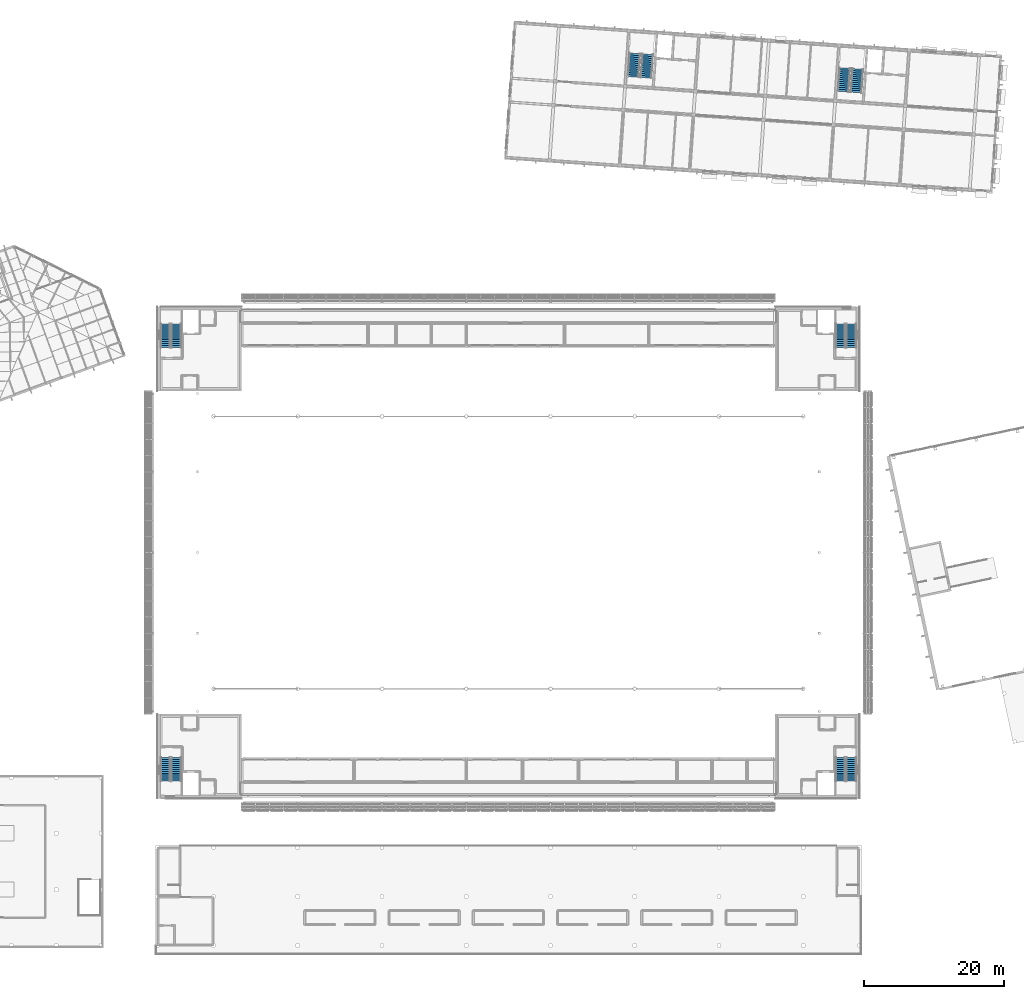
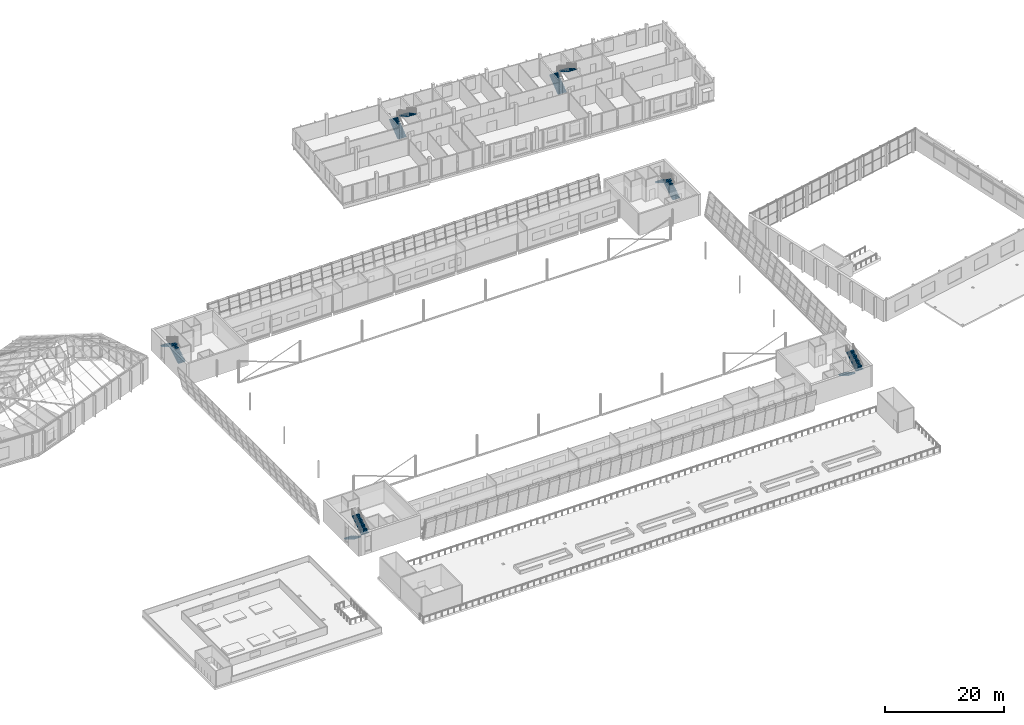
# One storey, part 59 of 95: 12 stair flights, 6 elements without a shape of their own.
"""IFC4 building model written with IfcOpenShell, lengths in metres."""

import ifcopenshell
import ifcopenshell.guid

model = None  # the IFC model being written
_history = None  # IfcOwnerHistory: only IFC2X3 demands one
_inside = {}  # id of a spatial element -> (the spatial element, [elements in it])
_under = {}  # id of a project, library or spatial element -> (it, [spatial elements below it])
_declared = {}  # id of a project -> (the project, [libraries it declares])
_typed = {}  # id of a type object -> (the type object, [elements of that type])
_made_of = {}  # id of a material, layer set ... -> (it, [elements and type objects made of it])


def new_model(schema):
    """Start an empty IFC model of exactly this schema.

    Asked for "IFC4X3", IfcOpenShell would pick the latest addendum, in which some entities
    have other attributes; the version numbers below select the first issue.
    IFC2X3 requires an IfcOwnerHistory on every rooted entity: one is made here for all.
    """
    global model, _history
    if schema == "IFC4X3":
        model = ifcopenshell.file(schema_version=(4, 3, 0, 0))
    else:
        model = ifcopenshell.file(schema=schema)
    _inside.clear()
    _under.clear()
    _declared.clear()
    _typed.clear()
    _made_of.clear()
    _history = None
    if model.schema == "IFC2X3":
        org = make("IfcOrganization", Name="unknown")
        user = make(
            "IfcPersonAndOrganization",
            ThePerson=make("IfcPerson", FamilyName="unknown"),
            TheOrganization=org,
        )
        app = make(
            "IfcApplication",
            ApplicationDeveloper=org,
            Version="unknown",
            ApplicationFullName="unknown",
            ApplicationIdentifier="unknown",
        )
        _history = make(
            "IfcOwnerHistory",
            OwningUser=user,
            OwningApplication=app,
            ChangeAction="ADDED",
            CreationDate=0,
        )
    return model


def make(cls, **values):
    """One entity of the class cls with the attributes given. An attribute that is None is left unset."""
    return model.create_entity(
        cls, **{name: value for name, value in values.items() if value is not None}
    )


def rooted(cls, **values):
    """An entity with a GlobalId (a new one), such as an element, a storey or a relation."""
    return make(cls, GlobalId=ifcopenshell.guid.new(), OwnerHistory=_history, **values)


def si_unit(unit_type, name, prefix=None):
    """IfcSIUnit, for example si_unit("LENGTHUNIT", "METRE", prefix="MILLI")."""
    return make("IfcSIUnit", UnitType=unit_type, Prefix=prefix, Name=name)


def assignment(units):
    """IfcUnitAssignment: the units of a project."""
    return None if units is None else make("IfcUnitAssignment", Units=units)


def point(xyz):
    """IfcCartesianPoint."""
    return None if xyz is None else make("IfcCartesianPoint", Coordinates=xyz)


def direction(xyz):
    """IfcDirection."""
    return None if xyz is None else make("IfcDirection", DirectionRatios=xyz)


def frame(location, z_axis=None, x_axis=None):
    """IfcAxis2Placement3D, a coordinate frame: its origin and axes. An axis left out is left unset."""
    return make(
        "IfcAxis2Placement3D",
        Location=point(location),
        Axis=direction(z_axis),
        RefDirection=direction(x_axis),
    )


def origin():
    """The frame at (0, 0, 0) with its axes left unset."""
    return frame((0.0, 0.0, 0.0))


def place(relative_to, where):
    """IfcLocalPlacement: puts the frame where relative to a parent placement (None: the world)."""
    return make(
        "IfcLocalPlacement", PlacementRelTo=relative_to, RelativePlacement=where
    )


def context(
    kind, dimensions, precision=None, world=None, true_north=None, identifier=None
):
    """IfcGeometricRepresentationContext, for example the 3D "Model" context."""
    return make(
        "IfcGeometricRepresentationContext",
        ContextIdentifier=identifier,
        ContextType=kind,
        CoordinateSpaceDimension=dimensions,
        Precision=precision,
        WorldCoordinateSystem=world,
        TrueNorth=true_north,
    )


def subcontext(parent, identifier, kind, view, scale=None):
    """IfcGeometricRepresentationSubContext, for example "Body" below "Model"."""
    return make(
        "IfcGeometricRepresentationSubContext",
        ContextIdentifier=identifier,
        ContextType=kind,
        ParentContext=parent,
        TargetScale=scale,
        TargetView=view,
    )


def project(units=None, contexts=None):
    """IfcProject with its units and contexts."""
    return rooted(
        "IfcProject",
        Name="project",
        RepresentationContexts=contexts,
        UnitsInContext=assignment(units),
    )


def spatial(cls, under=None, at=None, **own):
    """A site, building, storey or space (cls), placed at a placement, below another one or the project."""
    s = rooted(cls, ObjectPlacement=at, **own)
    if under is not None:
        _under.setdefault(under.id(), (under, []))[1].append(s)
    return s


def polyline(points):
    """IfcPolyline through the points."""
    return make("IfcPolyline", Points=[point(p) for p in points])


def outline(outer, holes=None, kind="AREA"):
    """IfcArbitraryClosedProfileDef: a profile drawn as a closed curve; with holes, ...WithVoids."""
    if holes is None:
        return make("IfcArbitraryClosedProfileDef", ProfileType=kind, OuterCurve=outer)
    return make(
        "IfcArbitraryProfileDefWithVoids",
        ProfileType=kind,
        OuterCurve=outer,
        InnerCurves=holes,
    )


def extrude(swept, where, along, depth):
    """IfcExtrudedAreaSolid: the profile swept, set in the frame where, extruded along a direction by depth."""
    return make(
        "IfcExtrudedAreaSolid",
        SweptArea=swept,
        Position=where,
        ExtrudedDirection=direction(along),
        Depth=depth,
    )


def shape(context_of_items, identifier, shape_type, items):
    """IfcShapeRepresentation: the items that make up one representation, for example the "Body"."""
    return make(
        "IfcShapeRepresentation",
        ContextOfItems=context_of_items,
        RepresentationIdentifier=identifier,
        RepresentationType=shape_type,
        Items=items,
    )


def material(Name=None, Category=None):
    """IfcMaterial."""
    return make("IfcMaterial", Name=Name, Category=Category)


def made_of(thing, what):
    """Note that an element or type object is made of a material, layer set ...; save() writes the relation."""
    if what is not None:
        _made_of.setdefault(what.id(), (what, []))[1].append(thing)
    return thing


def type_object(cls, material=None, **own):
    """A type object (cls), such as IfcWallType, which elements share."""
    return made_of(rooted(cls, **own), material)


def element(
    cls,
    number,
    at=None,
    inside=None,
    cuts=None,
    type_object=None,
    material=None,
    context=None,
    identifier="Body",
    shape_type=None,
    held_by="IfcProductDefinitionShape",
    body=None,
    shapes=None,
    **own,
):
    """One element of the class cls, such as IfcWall. Its Tag is "e" and its number.

    at: its placement. inside: the storey or other place that contains it. cuts: it is an
    opening in that element (IfcRelVoidsElement). A single representation is given by context,
    identifier, shape_type and body (its items); several are given by shapes. held_by: the class
    of the entity that holds the representations. save() writes the other relations.
    """
    e = rooted(cls, Tag="e%d" % number, ObjectPlacement=at, **own)
    if body is not None:
        shapes = [shape(context, identifier, shape_type, body)]
    if shapes is not None:
        e.Representation = make(held_by, Representations=shapes)
    if inside is not None:
        _inside.setdefault(inside.id(), (inside, []))[1].append(e)
    if cuts is not None:
        rooted(
            "IfcRelVoidsElement", RelatingBuildingElement=cuts, RelatedOpeningElement=e
        )
    if type_object is not None:
        _typed.setdefault(type_object.id(), (type_object, []))[1].append(e)
    return made_of(e, material)


def aggregate(whole, parts):
    """IfcRelAggregates: a whole, such as a stair, and the parts it consists of."""
    return rooted("IfcRelAggregates", RelatingObject=whole, RelatedObjects=parts)


def save(model, path):
    """Write the relations noted so far, then the file.

    IfcRelAggregates (storeys below a building ...), IfcRelContainedInSpatialStructure (elements
    in a storey), IfcRelDefinesByType, IfcRelAssociatesMaterial and IfcRelDeclares: one each for
    every whole, place, type object, material and project.
    """
    for whole, parts in _under.values():
        aggregate(whole, parts)
    for where, things in _inside.values():
        rooted(
            "IfcRelContainedInSpatialStructure",
            RelatedElements=things,
            RelatingStructure=where,
        )
    for kind, things in _typed.values():
        rooted("IfcRelDefinesByType", RelatedObjects=things, RelatingType=kind)
    for what, things in _made_of.values():
        rooted("IfcRelAssociatesMaterial", RelatedObjects=things, RelatingMaterial=what)
    for by, libraries in _declared.values():
        rooted("IfcRelDeclares", RelatingContext=by, RelatedDefinitions=libraries)
    model.write(path)


model = new_model("IFC4")

# Units and contexts
model_context = context("Model", 3, precision=1e-05, world=origin(), true_north=direction((0.0, 1.0)))
body_context = subcontext(model_context, "Body", "Model", "MODEL_VIEW")
ifc_project = project(units=[si_unit("LENGTHUNIT", "METRE"), si_unit("AREAUNIT", "SQUARE_METRE"), si_unit("VOLUMEUNIT", "CUBIC_METRE"), si_unit("PLANEANGLEUNIT", "RADIAN"), si_unit("MASSUNIT", "GRAM", prefix="KILO")], contexts=[model_context])

# Site, building, storey
site_placement = place(None, origin())
site = spatial("IfcSite", under=ifc_project, at=site_placement, CompositionType="ELEMENT")
building_placement = place(site_placement, origin())
building = spatial("IfcBuilding", under=site, at=building_placement, Name="Windward Yard Aquatics Centre", CompositionType="ELEMENT")
storey_placement = place(building_placement, frame((0.0, 0.0, 9.39990234375)))
storey = spatial("IfcBuildingStorey", under=building, at=storey_placement, Name="L02", CompositionType="ELEMENT", Elevation=9.39990234375)

# Stair, stair flights
ifc_material = material(Name="Concrete C35/45", Category="concrete")
stair_type_1 = type_object("IfcStairType", Name="H Core Stair Concrete C35/45 1400", PredefinedType="HALF_TURN_STAIR", material=ifc_material)
stair_1_placement = place(storey_placement, origin())
stair_1 = element("IfcStair", 1, at=stair_1_placement, inside=storey, type_object=stair_type_1, Name="L02 Stair SW", PredefinedType="HALF_TURN_STAIR")
stair_flight_type_1 = type_object("IfcStairFlightType", Name="H Core Stair Flight Concrete C35/45 1400", PredefinedType="STRAIGHT", material=ifc_material)
stair_flight_1_placement = place(storey_placement, frame((53.14990234375, 31.800048828125, 0.0), z_axis=(0.0, 0.0, 1.0), x_axis=(0.0, -1.0, 0.0)))
stair_flight_1 = element("IfcStairFlight", 2, at=stair_flight_1_placement, type_object=stair_flight_type_1, Name="ST1 flight 1", NumberOfRisers=13, NumberOfTreads=12, PredefinedType="STRAIGHT", RiserHeight=0.169230769, TreadLength=0.28, context=body_context, shape_type="SweptSolid", body=[
    extrude(outline(polyline([(0.0, 0.0), (0.0, 0.169189453125), (0.280029296875, 0.169189453125), (0.280029296875, 0.33837890625), (0.56005859375, 0.33837890625), (0.56005859375, 0.5078125), (0.840087890625, 0.5078125), (0.840087890625, 0.677001953125), (1.1201171875, 0.677001953125), (1.1201171875, 0.84619140625), (1.39990234375, 0.84619140625), (1.39990234375, 1.015380859375), (1.679931640625, 1.015380859375), (1.679931640625, 1.1845703125), (1.9599609375, 1.1845703125), (1.9599609375, 1.353759765625), (2.239990234375, 1.353759765625), (2.239990234375, 1.523193359375), (2.52001953125, 1.523193359375), (2.52001953125, 1.6923828125), (2.800048828125, 1.6923828125), (2.800048828125, 1.861572265625), (3.080078125, 1.861572265625), (3.080078125, 2.03076171875), (3.360107421875, 2.03076171875), (3.360107421875, 2.199951171875), (3.360107421875, 1.855712890625), (0.289794921875, 0.0), (0.0, 0.0)])), frame((0.0, 0.699951171875, 0.0), z_axis=(0.0, -1.0, 0.0), x_axis=(1.0, 0.0, 0.0)), (0.0, 0.0, 1.0), 1.39990234375),
])
stair_flight_2_placement = place(storey_placement, frame((54.699951171875, 28.43994140625, 2.2001953125), z_axis=(0.0, 0.0, 1.0), x_axis=(0.0, 1.0, 0.0)))
stair_flight_2 = element("IfcStairFlight", 3, at=stair_flight_2_placement, type_object=stair_flight_type_1, Name="ST1 flight 2", NumberOfRisers=13, NumberOfTreads=12, PredefinedType="STRAIGHT", RiserHeight=0.169230769, TreadLength=0.28, context=body_context, shape_type="SweptSolid", body=[
    extrude(outline(polyline([(0.0, 0.0), (0.0, 0.169189453125), (0.280029296875, 0.169189453125), (0.280029296875, 0.33837890625), (0.56005859375, 0.33837890625), (0.56005859375, 0.5078125), (0.840087890625, 0.5078125), (0.840087890625, 0.677001953125), (1.1201171875, 0.677001953125), (1.1201171875, 0.84619140625), (1.39990234375, 0.84619140625), (1.39990234375, 1.015380859375), (1.679931640625, 1.015380859375), (1.679931640625, 1.1845703125), (1.9599609375, 1.1845703125), (1.9599609375, 1.353759765625), (2.239990234375, 1.353759765625), (2.239990234375, 1.523193359375), (2.52001953125, 1.523193359375), (2.52001953125, 1.6923828125), (2.800048828125, 1.6923828125), (2.800048828125, 1.861572265625), (3.080078125, 1.861572265625), (3.080078125, 2.03076171875), (3.360107421875, 2.03076171875), (3.360107421875, 2.199951171875), (3.360107421875, 1.855712890625), (0.289794921875, 0.0), (0.0, 0.0)])), frame((0.0, 0.699951171875, 0.0), z_axis=(0.0, -1.0, 0.0), x_axis=(1.0, 0.0, 0.0)), (0.0, 0.0, 1.0), 1.39990234375),
])
aggregate(stair_1, [stair_flight_1, stair_flight_2])

stair_2_placement = place(storey_placement, origin())
stair_2 = element("IfcStair", 4, at=stair_2_placement, inside=storey, type_object=stair_type_1, Name="L02 Stair SE", PredefinedType="HALF_TURN_STAIR")
stair_flight_3_placement = place(storey_placement, frame((149.300048828125, 31.800048828125, 0.0), z_axis=(0.0, 0.0, 1.0), x_axis=(0.0, -1.0, 0.0)))
stair_flight_3 = element("IfcStairFlight", 5, at=stair_flight_3_placement, type_object=stair_flight_type_1, Name="ST2 flight 1", NumberOfRisers=13, NumberOfTreads=12, PredefinedType="STRAIGHT", RiserHeight=0.169230769, TreadLength=0.28, context=body_context, shape_type="SweptSolid", body=[
    extrude(outline(polyline([(0.0, 0.0), (0.0, 0.169189453125), (0.280029296875, 0.169189453125), (0.280029296875, 0.33837890625), (0.56005859375, 0.33837890625), (0.56005859375, 0.5078125), (0.840087890625, 0.5078125), (0.840087890625, 0.677001953125), (1.1201171875, 0.677001953125), (1.1201171875, 0.84619140625), (1.39990234375, 0.84619140625), (1.39990234375, 1.015380859375), (1.679931640625, 1.015380859375), (1.679931640625, 1.1845703125), (1.9599609375, 1.1845703125), (1.9599609375, 1.353759765625), (2.239990234375, 1.353759765625), (2.239990234375, 1.523193359375), (2.52001953125, 1.523193359375), (2.52001953125, 1.6923828125), (2.800048828125, 1.6923828125), (2.800048828125, 1.861572265625), (3.080078125, 1.861572265625), (3.080078125, 2.03076171875), (3.360107421875, 2.03076171875), (3.360107421875, 2.199951171875), (3.360107421875, 1.855712890625), (0.289794921875, 0.0), (0.0, 0.0)])), frame((0.0, 0.699951171875, 0.0), z_axis=(0.0, -1.0, 0.0), x_axis=(1.0, 0.0, 0.0)), (0.0, 0.0, 1.0), 1.39990234375),
])
stair_flight_4_placement = place(storey_placement, frame((150.85009765625, 28.43994140625, 2.2001953125), z_axis=(0.0, 0.0, 1.0), x_axis=(0.0, 1.0, 0.0)))
stair_flight_4 = element("IfcStairFlight", 6, at=stair_flight_4_placement, type_object=stair_flight_type_1, Name="ST2 flight 2", NumberOfRisers=13, NumberOfTreads=12, PredefinedType="STRAIGHT", RiserHeight=0.169230769, TreadLength=0.28, context=body_context, shape_type="SweptSolid", body=[
    extrude(outline(polyline([(0.0, 0.0), (0.0, 0.169189453125), (0.280029296875, 0.169189453125), (0.280029296875, 0.33837890625), (0.56005859375, 0.33837890625), (0.56005859375, 0.5078125), (0.840087890625, 0.5078125), (0.840087890625, 0.677001953125), (1.1201171875, 0.677001953125), (1.1201171875, 0.84619140625), (1.39990234375, 0.84619140625), (1.39990234375, 1.015380859375), (1.679931640625, 1.015380859375), (1.679931640625, 1.1845703125), (1.9599609375, 1.1845703125), (1.9599609375, 1.353759765625), (2.239990234375, 1.353759765625), (2.239990234375, 1.523193359375), (2.52001953125, 1.523193359375), (2.52001953125, 1.6923828125), (2.800048828125, 1.6923828125), (2.800048828125, 1.861572265625), (3.080078125, 1.861572265625), (3.080078125, 2.03076171875), (3.360107421875, 2.03076171875), (3.360107421875, 2.199951171875), (3.360107421875, 1.855712890625), (0.289794921875, 0.0), (0.0, 0.0)])), frame((0.0, 0.699951171875, 0.0), z_axis=(0.0, -1.0, 0.0), x_axis=(1.0, 0.0, 0.0)), (0.0, 0.0, 1.0), 1.39990234375),
])
aggregate(stair_2, [stair_flight_3, stair_flight_4])

stair_3_placement = place(storey_placement, origin())
stair_3 = element("IfcStair", 7, at=stair_3_placement, inside=storey, type_object=stair_type_1, Name="L02 Stair NW", PredefinedType="HALF_TURN_STAIR")
stair_flight_5_placement = place(storey_placement, frame((54.699951171875, 90.199951171875, 0.0), z_axis=(0.0, 0.0, 1.0), x_axis=(0.0, 1.0, 0.0)))
stair_flight_5 = element("IfcStairFlight", 8, at=stair_flight_5_placement, type_object=stair_flight_type_1, Name="ST3 flight 1", NumberOfRisers=13, NumberOfTreads=12, PredefinedType="STRAIGHT", RiserHeight=0.169230769, TreadLength=0.28, context=body_context, shape_type="SweptSolid", body=[
    extrude(outline(polyline([(0.0, 0.0), (0.0, 0.169189453125), (0.280029296875, 0.169189453125), (0.280029296875, 0.33837890625), (0.56005859375, 0.33837890625), (0.56005859375, 0.5078125), (0.840087890625, 0.5078125), (0.840087890625, 0.677001953125), (1.1201171875, 0.677001953125), (1.1201171875, 0.84619140625), (1.39990234375, 0.84619140625), (1.39990234375, 1.015380859375), (1.679931640625, 1.015380859375), (1.679931640625, 1.1845703125), (1.9599609375, 1.1845703125), (1.9599609375, 1.353759765625), (2.239990234375, 1.353759765625), (2.239990234375, 1.523193359375), (2.52001953125, 1.523193359375), (2.52001953125, 1.6923828125), (2.800048828125, 1.6923828125), (2.800048828125, 1.861572265625), (3.080078125, 1.861572265625), (3.080078125, 2.03076171875), (3.360107421875, 2.03076171875), (3.360107421875, 2.199951171875), (3.360107421875, 1.855712890625), (0.289794921875, 0.0), (0.0, 0.0)])), frame((0.0, 0.699951171875, 0.0), z_axis=(0.0, -1.0, 0.0), x_axis=(1.0, 0.0, 0.0)), (0.0, 0.0, 1.0), 1.39990234375),
])
stair_flight_6_placement = place(storey_placement, frame((53.14990234375, 93.56005859375, 2.2001953125), z_axis=(0.0, 0.0, 1.0), x_axis=(0.0, -1.0, 0.0)))
stair_flight_6 = element("IfcStairFlight", 9, at=stair_flight_6_placement, type_object=stair_flight_type_1, Name="ST3 flight 2", NumberOfRisers=13, NumberOfTreads=12, PredefinedType="STRAIGHT", RiserHeight=0.169230769, TreadLength=0.28, context=body_context, shape_type="SweptSolid", body=[
    extrude(outline(polyline([(0.0, 0.0), (0.0, 0.169189453125), (0.280029296875, 0.169189453125), (0.280029296875, 0.33837890625), (0.56005859375, 0.33837890625), (0.56005859375, 0.5078125), (0.840087890625, 0.5078125), (0.840087890625, 0.677001953125), (1.1201171875, 0.677001953125), (1.1201171875, 0.84619140625), (1.39990234375, 0.84619140625), (1.39990234375, 1.015380859375), (1.679931640625, 1.015380859375), (1.679931640625, 1.1845703125), (1.9599609375, 1.1845703125), (1.9599609375, 1.353759765625), (2.239990234375, 1.353759765625), (2.239990234375, 1.523193359375), (2.52001953125, 1.523193359375), (2.52001953125, 1.6923828125), (2.800048828125, 1.6923828125), (2.800048828125, 1.861572265625), (3.080078125, 1.861572265625), (3.080078125, 2.03076171875), (3.360107421875, 2.03076171875), (3.360107421875, 2.199951171875), (3.360107421875, 1.855712890625), (0.289794921875, 0.0), (0.0, 0.0)])), frame((0.0, 0.699951171875, 0.0), z_axis=(0.0, -1.0, 0.0), x_axis=(1.0, 0.0, 0.0)), (0.0, 0.0, 1.0), 1.39990234375),
])
aggregate(stair_3, [stair_flight_5, stair_flight_6])

stair_4_placement = place(storey_placement, origin())
stair_4 = element("IfcStair", 10, at=stair_4_placement, inside=storey, type_object=stair_type_1, Name="L02 Stair NE", PredefinedType="HALF_TURN_STAIR")
stair_flight_7_placement = place(storey_placement, frame((150.85009765625, 90.199951171875, 0.0), z_axis=(0.0, 0.0, 1.0), x_axis=(0.0, 1.0, 0.0)))
stair_flight_7 = element("IfcStairFlight", 11, at=stair_flight_7_placement, type_object=stair_flight_type_1, Name="ST4 flight 1", NumberOfRisers=13, NumberOfTreads=12, PredefinedType="STRAIGHT", RiserHeight=0.169230769, TreadLength=0.28, context=body_context, shape_type="SweptSolid", body=[
    extrude(outline(polyline([(0.0, 0.0), (0.0, 0.169189453125), (0.280029296875, 0.169189453125), (0.280029296875, 0.33837890625), (0.56005859375, 0.33837890625), (0.56005859375, 0.5078125), (0.840087890625, 0.5078125), (0.840087890625, 0.677001953125), (1.1201171875, 0.677001953125), (1.1201171875, 0.84619140625), (1.39990234375, 0.84619140625), (1.39990234375, 1.015380859375), (1.679931640625, 1.015380859375), (1.679931640625, 1.1845703125), (1.9599609375, 1.1845703125), (1.9599609375, 1.353759765625), (2.239990234375, 1.353759765625), (2.239990234375, 1.523193359375), (2.52001953125, 1.523193359375), (2.52001953125, 1.6923828125), (2.800048828125, 1.6923828125), (2.800048828125, 1.861572265625), (3.080078125, 1.861572265625), (3.080078125, 2.03076171875), (3.360107421875, 2.03076171875), (3.360107421875, 2.199951171875), (3.360107421875, 1.855712890625), (0.289794921875, 0.0), (0.0, 0.0)])), frame((0.0, 0.699951171875, 0.0), z_axis=(0.0, -1.0, 0.0), x_axis=(1.0, 0.0, 0.0)), (0.0, 0.0, 1.0), 1.39990234375),
])
stair_flight_8_placement = place(storey_placement, frame((149.300048828125, 93.56005859375, 2.2001953125), z_axis=(0.0, 0.0, 1.0), x_axis=(0.0, -1.0, 0.0)))
stair_flight_8 = element("IfcStairFlight", 12, at=stair_flight_8_placement, type_object=stair_flight_type_1, Name="ST4 flight 2", NumberOfRisers=13, NumberOfTreads=12, PredefinedType="STRAIGHT", RiserHeight=0.169230769, TreadLength=0.28, context=body_context, shape_type="SweptSolid", body=[
    extrude(outline(polyline([(0.0, 0.0), (0.0, 0.169189453125), (0.280029296875, 0.169189453125), (0.280029296875, 0.33837890625), (0.56005859375, 0.33837890625), (0.56005859375, 0.5078125), (0.840087890625, 0.5078125), (0.840087890625, 0.677001953125), (1.1201171875, 0.677001953125), (1.1201171875, 0.84619140625), (1.39990234375, 0.84619140625), (1.39990234375, 1.015380859375), (1.679931640625, 1.015380859375), (1.679931640625, 1.1845703125), (1.9599609375, 1.1845703125), (1.9599609375, 1.353759765625), (2.239990234375, 1.353759765625), (2.239990234375, 1.523193359375), (2.52001953125, 1.523193359375), (2.52001953125, 1.6923828125), (2.800048828125, 1.6923828125), (2.800048828125, 1.861572265625), (3.080078125, 1.861572265625), (3.080078125, 2.03076171875), (3.360107421875, 2.03076171875), (3.360107421875, 2.199951171875), (3.360107421875, 1.855712890625), (0.289794921875, 0.0), (0.0, 0.0)])), frame((0.0, 0.699951171875, 0.0), z_axis=(0.0, -1.0, 0.0), x_axis=(1.0, 0.0, 0.0)), (0.0, 0.0, 1.0), 1.39990234375),
])
aggregate(stair_4, [stair_flight_7, stair_flight_8])

stair_type_2 = type_object("IfcStairType", Name="W exit stair 1600", PredefinedType="HALF_TURN_STAIR", material=ifc_material)
stair_5_placement = place(storey_placement, origin())
stair_5 = element("IfcStair", 13, at=stair_5_placement, inside=storey, type_object=stair_type_2, Name="W.ST.W.L02", PredefinedType="HALF_TURN_STAIR")
stair_flight_type_2 = type_object("IfcStairFlightType", Name="W stair flight 1600 Concrete C35/45", PredefinedType="STRAIGHT", material=ifc_material)
stair_flight_9_placement = place(storey_placement, frame((119.772216796875, 128.763427734375, 0.0), z_axis=(0.0, 0.0, 1.0), x_axis=(0.069756473744, 0.99756405026, 0.0)))
stair_flight_9 = element("IfcStairFlight", 14, at=stair_flight_9_placement, type_object=stair_flight_type_2, Name="ST-W flight 1", NumberOfRisers=13, NumberOfTreads=12, PredefinedType="STRAIGHT", RiserHeight=0.169230769, TreadLength=0.28, context=body_context, shape_type="SweptSolid", body=[
    extrude(outline(polyline([(0.0, 0.0), (0.0, 0.169189453125), (0.280029296875, 0.169189453125), (0.280029296875, 0.33837890625), (0.56005859375, 0.33837890625), (0.56005859375, 0.5078125), (0.840087890625, 0.5078125), (0.840087890625, 0.677001953125), (1.1201171875, 0.677001953125), (1.1201171875, 0.84619140625), (1.39990234375, 0.84619140625), (1.39990234375, 1.015380859375), (1.679931640625, 1.015380859375), (1.679931640625, 1.1845703125), (1.9599609375, 1.1845703125), (1.9599609375, 1.353759765625), (2.239990234375, 1.353759765625), (2.239990234375, 1.523193359375), (2.52001953125, 1.523193359375), (2.52001953125, 1.6923828125), (2.800048828125, 1.6923828125), (2.800048828125, 1.861572265625), (3.080078125, 1.861572265625), (3.080078125, 2.03076171875), (3.360107421875, 2.03076171875), (3.360107421875, 2.199951171875), (3.360107421875, 1.855712890625), (0.289794921875, 0.0), (0.0, 0.0)])), frame((0.0, 0.800048828125, 0.0), z_axis=(0.0, -1.0, 0.0), x_axis=(1.0, 0.0, 0.0)), (0.0, 0.0, 1.0), 1.60009765625),
])
stair_flight_10_placement = place(storey_placement, frame((121.85205078125, 131.986083984375, 2.2001953125), z_axis=(0.0, 0.0, 1.0), x_axis=(-0.069756473744, -0.99756405026, 0.0)))
stair_flight_10 = element("IfcStairFlight", 15, at=stair_flight_10_placement, type_object=stair_flight_type_2, Name="ST-W flight 2", NumberOfRisers=13, NumberOfTreads=12, PredefinedType="STRAIGHT", RiserHeight=0.169230769, TreadLength=0.28, context=body_context, shape_type="SweptSolid", body=[
    extrude(outline(polyline([(0.0, 0.0), (0.0, 0.169189453125), (0.280029296875, 0.169189453125), (0.280029296875, 0.33837890625), (0.56005859375, 0.33837890625), (0.56005859375, 0.5078125), (0.840087890625, 0.5078125), (0.840087890625, 0.677001953125), (1.1201171875, 0.677001953125), (1.1201171875, 0.84619140625), (1.39990234375, 0.84619140625), (1.39990234375, 1.015380859375), (1.679931640625, 1.015380859375), (1.679931640625, 1.1845703125), (1.9599609375, 1.1845703125), (1.9599609375, 1.353759765625), (2.239990234375, 1.353759765625), (2.239990234375, 1.523193359375), (2.52001953125, 1.523193359375), (2.52001953125, 1.6923828125), (2.800048828125, 1.6923828125), (2.800048828125, 1.861572265625), (3.080078125, 1.861572265625), (3.080078125, 2.03076171875), (3.360107421875, 2.03076171875), (3.360107421875, 2.199951171875), (3.360107421875, 1.855712890625), (0.289794921875, 0.0), (0.0, 0.0)])), frame((0.0, 0.800048828125, 0.0), z_axis=(0.0, -1.0, 0.0), x_axis=(1.0, 0.0, 0.0)), (0.0, 0.0, 1.0), 1.60009765625),
])
aggregate(stair_5, [stair_flight_9, stair_flight_10])

stair_6_placement = place(storey_placement, origin())
stair_6 = element("IfcStair", 16, at=stair_6_placement, inside=storey, type_object=stair_type_2, Name="W.ST.E.L02", PredefinedType="HALF_TURN_STAIR")
stair_flight_11_placement = place(storey_placement, frame((149.69921875, 126.670654296875, 0.0), z_axis=(0.0, 0.0, 1.0), x_axis=(0.069756473744, 0.99756405026, 0.0)))
stair_flight_11 = element("IfcStairFlight", 17, at=stair_flight_11_placement, type_object=stair_flight_type_2, Name="ST-E flight 1", NumberOfRisers=13, NumberOfTreads=12, PredefinedType="STRAIGHT", RiserHeight=0.169230769, TreadLength=0.28, context=body_context, shape_type="SweptSolid", body=[
    extrude(outline(polyline([(0.0, 0.0), (0.0, 0.169189453125), (0.280029296875, 0.169189453125), (0.280029296875, 0.33837890625), (0.56005859375, 0.33837890625), (0.56005859375, 0.5078125), (0.840087890625, 0.5078125), (0.840087890625, 0.677001953125), (1.1201171875, 0.677001953125), (1.1201171875, 0.84619140625), (1.39990234375, 0.84619140625), (1.39990234375, 1.015380859375), (1.679931640625, 1.015380859375), (1.679931640625, 1.1845703125), (1.9599609375, 1.1845703125), (1.9599609375, 1.353759765625), (2.239990234375, 1.353759765625), (2.239990234375, 1.523193359375), (2.52001953125, 1.523193359375), (2.52001953125, 1.6923828125), (2.800048828125, 1.6923828125), (2.800048828125, 1.861572265625), (3.080078125, 1.861572265625), (3.080078125, 2.03076171875), (3.360107421875, 2.03076171875), (3.360107421875, 2.199951171875), (3.360107421875, 1.855712890625), (0.289794921875, 0.0), (0.0, 0.0)])), frame((0.0, 0.800048828125, 0.0), z_axis=(0.0, -1.0, 0.0), x_axis=(1.0, 0.0, 0.0)), (0.0, 0.0, 1.0), 1.60009765625),
])
stair_flight_12_placement = place(storey_placement, frame((151.779052734375, 129.893310546875, 2.2001953125), z_axis=(0.0, 0.0, 1.0), x_axis=(-0.069756473744, -0.99756405026, 0.0)))
stair_flight_12 = element("IfcStairFlight", 18, at=stair_flight_12_placement, type_object=stair_flight_type_2, Name="ST-E flight 2", NumberOfRisers=13, NumberOfTreads=12, PredefinedType="STRAIGHT", RiserHeight=0.169230769, TreadLength=0.28, context=body_context, shape_type="SweptSolid", body=[
    extrude(outline(polyline([(0.0, 0.0), (0.0, 0.169189453125), (0.280029296875, 0.169189453125), (0.280029296875, 0.33837890625), (0.56005859375, 0.33837890625), (0.56005859375, 0.5078125), (0.840087890625, 0.5078125), (0.840087890625, 0.677001953125), (1.1201171875, 0.677001953125), (1.1201171875, 0.84619140625), (1.39990234375, 0.84619140625), (1.39990234375, 1.015380859375), (1.679931640625, 1.015380859375), (1.679931640625, 1.1845703125), (1.9599609375, 1.1845703125), (1.9599609375, 1.353759765625), (2.239990234375, 1.353759765625), (2.239990234375, 1.523193359375), (2.52001953125, 1.523193359375), (2.52001953125, 1.6923828125), (2.800048828125, 1.6923828125), (2.800048828125, 1.861572265625), (3.080078125, 1.861572265625), (3.080078125, 2.03076171875), (3.360107421875, 2.03076171875), (3.360107421875, 2.199951171875), (3.360107421875, 1.855712890625), (0.289794921875, 0.0), (0.0, 0.0)])), frame((0.0, 0.800048828125, 0.0), z_axis=(0.0, -1.0, 0.0), x_axis=(1.0, 0.0, 0.0)), (0.0, 0.0, 1.0), 1.60009765625),
])
aggregate(stair_6, [stair_flight_11, stair_flight_12])

save(model, "model.ifc")
